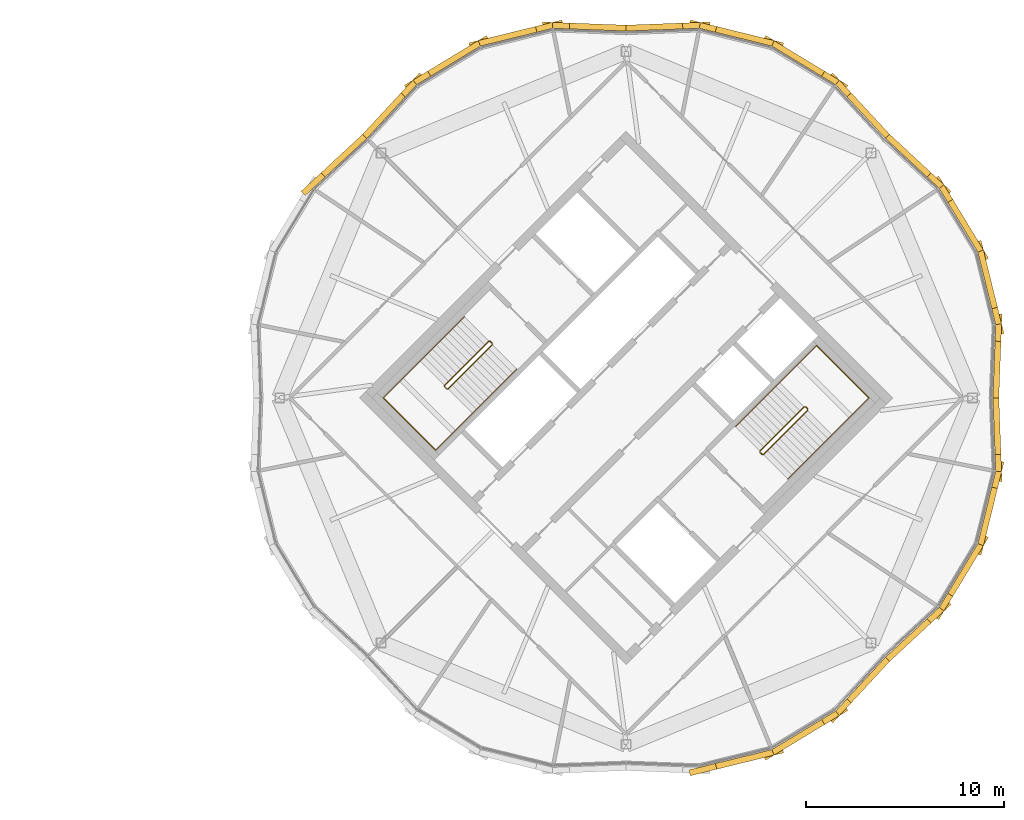
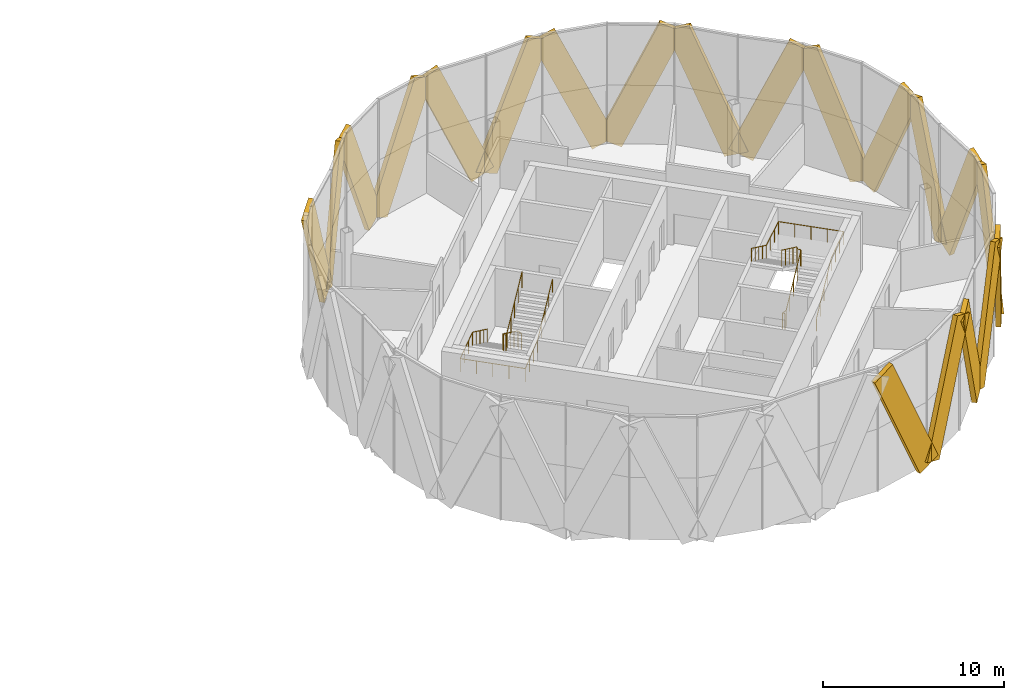
# One storey, part 22 of 22: 20 coverings, 4 railings.
"""IFC4 building model written with IfcOpenShell, lengths in metres."""

from ifc_helpers import new_model, si_unit, direction, frame, origin, origin_2d, place, context, subcontext, project, spatial, rectangle, circle, extrude, material, material_profile, profile_set, type_object, element, save


model = new_model("IFC4")

# Units and contexts
model_context = context("Model", 3, precision=1e-05, world=origin(), true_north=direction((0.0, 1.0)))
body_context = subcontext(model_context, "Body", "Model", "MODEL_VIEW")
ifc_project = project(units=[si_unit("LENGTHUNIT", "METRE"), si_unit("AREAUNIT", "SQUARE_METRE"), si_unit("VOLUMEUNIT", "CUBIC_METRE"), si_unit("PLANEANGLEUNIT", "RADIAN"), si_unit("MASSUNIT", "GRAM", prefix="KILO")], contexts=[model_context])

# Site, building, storey
site_placement = place(None, origin())
site = spatial("IfcSite", under=ifc_project, at=site_placement, CompositionType="ELEMENT")
building_placement = place(site_placement, origin())
building = spatial("IfcBuilding", under=site, at=building_placement, Name="Ogive Gate Towers", CompositionType="ELEMENT")
storey_placement = place(building_placement, frame((0.0, 0.0, 285.60009765625)))
storey = spatial("IfcBuildingStorey", under=building, at=storey_placement, Name="L67", CompositionType="ELEMENT", Elevation=285.60009765625)

# Coverings
ifc_material_1 = material(Name="Pale metal aluminium", Category="aluminium")
ifc_material_profile = material_profile(ifc_material_1, rectangle(XDim=0.300048828125, YDim=1.5, at=origin_2d()), Name="1500 x 300 pale metal aluminium")
ifc_profile_set = profile_set([ifc_material_profile], Name="Pale metal aluminium")
covering_type = type_object("IfcCoveringType", Name="Facade fin 1500 x 300", PredefinedType="CLADDING", material=ifc_profile_set)
covering_1_placement = place(storey_placement, frame((54.635009765625, 0.123046875, -0.049072265625), z_axis=(0.015169569339, 0.401032943671, 0.915938023153), x_axis=(-0.999285354501, 0.037799210049, 0.0)))
element("IfcCovering", 1, at=covering_1_placement, inside=storey, type_object=covering_type, Name="Facade fin", PredefinedType="CLADDING", context=body_context, shape_type="SweptSolid", body=[
    extrude(rectangle(XDim=0.300048828125, YDim=1.5, at=origin_2d()), origin(), (0.0, 0.0, 1.0), 8.513671875),
])
for number, where, z_axis, x_axis, name in (
    (2, (53.903076171875, 7.232666015625, -0.045166015625), (0.097000995392, -0.394989885604, 0.913550106542), (0.971144431626, 0.238492123394, 0.0), "Facade fin"),
    (3, (53.773681640625, 7.544921875, -0.045166015625), (-0.21069427992, 0.34789321855, 0.913552532094), (-0.855361364748, -0.518031790238, 0.0), "Facade fin"),
):
    element("IfcCovering", number, at=place(storey_placement, frame(where, z_axis=z_axis, x_axis=x_axis)), inside=storey, type_object=covering_type, Name=name, PredefinedType="CLADDING", context=body_context, shape_type="SweptSolid", body=[
        extrude(rectangle(XDim=0.300048828125, YDim=1.5, at=origin_2d()), origin(), (0.0, 0.0, 1.0), 8.527099609375),
    ])
for number, where, z_axis, x_axis, name in (
    (4, (49.263916015625, 13.08984375, -0.049072265625), (0.294300591844, -0.272851031024, 0.915936393266), (0.679878090563, 0.73332515433, 0.0), "Facade fin"),
    (5, (49.08984375, 13.263916015625, -0.049072265625), (-0.272851031024, 0.294300591844, 0.915936393266), (-0.73332515433, -0.679878090563, 0.0), "Facade fin"),
):
    element("IfcCovering", number, at=place(storey_placement, frame(where, z_axis=z_axis, x_axis=x_axis)), inside=storey, type_object=covering_type, Name=name, PredefinedType="CLADDING", context=body_context, shape_type="SweptSolid", body=[
        extrude(rectangle(XDim=0.300048828125, YDim=1.5, at=origin_2d()), origin(), (0.0, 0.0, 1.0), 8.513916015625),
    ])
for number, where, z_axis, x_axis, name in (
    (6, (43.544921875, 17.773681640625, -0.045166015625), (0.34789321855, -0.21069427992, 0.913552532094), (0.518031790238, 0.855361364748, 0.0), "Facade fin"),
    (7, (43.232666015625, 17.903076171875, -0.045166015625), (-0.394989885604, 0.097000995392, 0.913550106542), (-0.238492123394, -0.971144431626, 0.0), "Facade fin"),
):
    element("IfcCovering", number, at=place(storey_placement, frame(where, z_axis=z_axis, x_axis=x_axis)), inside=storey, type_object=covering_type, Name=name, PredefinedType="CLADDING", context=body_context, shape_type="SweptSolid", body=[
        extrude(rectangle(XDim=0.300048828125, YDim=1.5, at=origin_2d()), origin(), (0.0, 0.0, 1.0), 8.527099609375),
    ])
for number, where, z_axis, x_axis, name in (
    (8, (36.123046875, 18.635009765625, -0.049072265625), (0.401032943671, 0.015169569339, 0.915938023153), (-0.037799210049, 0.999285354501, 0.0), "Facade fin"),
    (9, (35.876953125, 18.635009765625, -0.049072265625), (-0.401032943671, 0.015169569339, 0.915938023153), (-0.037799210049, -0.999285354501, 0.0), "Facade fin"),
):
    element("IfcCovering", number, at=place(storey_placement, frame(where, z_axis=z_axis, x_axis=x_axis)), inside=storey, type_object=covering_type, Name=name, PredefinedType="CLADDING", context=body_context, shape_type="SweptSolid", body=[
        extrude(rectangle(XDim=0.300048828125, YDim=1.5, at=origin_2d()), origin(), (0.0, 0.0, 1.0), 8.513671875),
    ])
for number, where, z_axis, x_axis, name in (
    (10, (28.767333984375, 17.903076171875, -0.045166015625), (0.394989885604, 0.097000995392, 0.913550106542), (-0.238492123394, 0.971144431626, 0.0), "Facade fin"),
    (11, (28.455078125, 17.773681640625, -0.045166015625), (-0.34789321855, -0.21069427992, 0.913552532094), (0.518031790238, -0.855361364748, 0.0), "Facade fin"),
):
    element("IfcCovering", number, at=place(storey_placement, frame(where, z_axis=z_axis, x_axis=x_axis)), inside=storey, type_object=covering_type, Name=name, PredefinedType="CLADDING", context=body_context, shape_type="SweptSolid", body=[
        extrude(rectangle(XDim=0.300048828125, YDim=1.5, at=origin_2d()), origin(), (0.0, 0.0, 1.0), 8.527099609375),
    ])
for number, where, z_axis, x_axis, name in (
    (12, (22.91015625, 13.263916015625, -0.049072265625), (0.272851031024, 0.294300591844, 0.915936393266), (-0.73332515433, 0.679878090563, 0.0), "Facade fin"),
    (13, (22.736083984375, 13.08984375, -0.049072265625), (-0.294300591844, -0.272851031024, 0.915936393266), (0.679878090563, -0.73332515433, 0.0), "Facade fin"),
):
    element("IfcCovering", number, at=place(storey_placement, frame(where, z_axis=z_axis, x_axis=x_axis)), inside=storey, type_object=covering_type, Name=name, PredefinedType="CLADDING", context=body_context, shape_type="SweptSolid", body=[
        extrude(rectangle(XDim=0.300048828125, YDim=1.5, at=origin_2d()), origin(), (0.0, 0.0, 1.0), 8.513916015625),
    ])
for number, where, z_axis, x_axis, name in (
    (14, (43.232666015625, -17.903076171875, -0.045166015625), (-0.394989885604, -0.097000995392, 0.913550106542), (0.238492123394, -0.971144431626, 0.0), "Facade fin"),
    (15, (43.544921875, -17.773681640625, -0.045166015625), (0.34789321855, 0.21069427992, 0.913552532094), (-0.518031790238, 0.855361364748, 0.0), "Facade fin"),
):
    element("IfcCovering", number, at=place(storey_placement, frame(where, z_axis=z_axis, x_axis=x_axis)), inside=storey, type_object=covering_type, Name=name, PredefinedType="CLADDING", context=body_context, shape_type="SweptSolid", body=[
        extrude(rectangle(XDim=0.300048828125, YDim=1.5, at=origin_2d()), origin(), (0.0, 0.0, 1.0), 8.527099609375),
    ])
for number, where, z_axis, x_axis, name in (
    (16, (49.08984375, -13.263916015625, -0.049072265625), (-0.272851031024, -0.294300591844, 0.915936393266), (0.73332515433, -0.679878090563, 0.0), "Facade fin"),
    (17, (49.263916015625, -13.08984375, -0.049072265625), (0.294300591844, 0.272851031024, 0.915936393266), (-0.679878090563, 0.73332515433, 0.0), "Facade fin"),
):
    element("IfcCovering", number, at=place(storey_placement, frame(where, z_axis=z_axis, x_axis=x_axis)), inside=storey, type_object=covering_type, Name=name, PredefinedType="CLADDING", context=body_context, shape_type="SweptSolid", body=[
        extrude(rectangle(XDim=0.300048828125, YDim=1.5, at=origin_2d()), origin(), (0.0, 0.0, 1.0), 8.513916015625),
    ])
for number, where, z_axis, x_axis, name in (
    (18, (53.773681640625, -7.544921875, -0.045166015625), (-0.21069427992, -0.34789321855, 0.913552532094), (0.855361364748, -0.518031790238, 0.0), "Facade fin"),
    (19, (53.903076171875, -7.232666015625, -0.045166015625), (0.097000995392, 0.394989885604, 0.913550106542), (-0.971144431626, 0.238492123394, 0.0), "Facade fin"),
):
    element("IfcCovering", number, at=place(storey_placement, frame(where, z_axis=z_axis, x_axis=x_axis)), inside=storey, type_object=covering_type, Name=name, PredefinedType="CLADDING", context=body_context, shape_type="SweptSolid", body=[
        extrude(rectangle(XDim=0.300048828125, YDim=1.5, at=origin_2d()), origin(), (0.0, 0.0, 1.0), 8.527099609375),
    ])
covering_2_placement = place(storey_placement, frame((54.635009765625, -0.123046875, -0.049072265625), z_axis=(0.015169569339, -0.401032943671, 0.915938023153), x_axis=(0.999285354501, 0.037799210049, 0.0)))
element("IfcCovering", 20, at=covering_2_placement, inside=storey, type_object=covering_type, Name="Facade fin", PredefinedType="CLADDING", context=body_context, shape_type="SweptSolid", body=[
    extrude(rectangle(XDim=0.300048828125, YDim=1.5, at=origin_2d()), origin(), (0.0, 0.0, 1.0), 8.513671875),
])

# Railings
ifc_material_2 = material(Name="Stainless steel", Category="steel")
railing_type_1 = type_object("IfcRailingType", Name="Stair guard 1100", PredefinedType="GUARDRAIL", material=ifc_material_2)
railing_1_placement = place(storey_placement, frame((29.15869140625, 2.8603515625, 0.0)))
element("IfcRailing", 21, at=railing_1_placement, inside=storey, type_object=railing_type_1, Name="L67 ST1 stair guard 1", PredefinedType="GUARDRAIL", context=body_context, shape_type="SweptSolid", body=[
    extrude(circle(Radius=0.02392578125, at=origin_2d()), frame((0.0, 0.0, 1.076171875), z_axis=(0.707106781187, -0.707106781187, 0.0), x_axis=(0.707106781187, 0.707106781187, 0.0)), (0.0, 0.0, 1.0), 0.14501953125),
    extrude(circle(Radius=0.02392578125, at=origin_2d()), frame((0.1025390625, -0.1025390625, 1.076171875), z_axis=(-0.649465406644, 0.384732680946, 0.655877617993), x_axis=(-0.509669330572, -0.860370369942, 0.0)), (0.0, 0.0, 1.0), 0.2666015625),
    extrude(circle(Radius=0.02392578125, at=origin_2d()), frame((-0.070556640625, 0.0, 1.2509765625), z_axis=(-0.604012965068, -0.604012965068, 0.519939108031), x_axis=(0.707106781187, -0.707106781187, 0.0)), (0.0, 0.0, 1.0), 3.702392578125),
    extrude(circle(Radius=0.02392578125, at=origin_2d()), frame((-2.306884765625, -2.236328125, 3.17578125), z_axis=(0.0, -1.0, 0.0), x_axis=(1.0, 0.0, 0.0)), (0.0, 0.0, 1.0), 0.07080078125),
    extrude(circle(Radius=0.02392578125, at=origin_2d()), frame((-2.306884765625, -2.30712890625, 3.17578125), z_axis=(0.707106781187, -0.707106781187, 0.0), x_axis=(0.707106781187, 0.707106781187, 0.0)), (0.0, 0.0, 1.0), 0.14501953125),
    extrude(circle(Radius=0.02392578125, at=origin_2d()), frame((-2.204345703125, -2.40966796875, 3.17578125), z_axis=(0.374954686889, 0.0, 0.927043139654), x_axis=(0.0, 1.0, 0.0)), (0.0, 0.0, 1.0), 0.188720703125),
    extrude(circle(Radius=0.02392578125, at=origin_2d()), frame((-2.133544921875, -2.40966796875, 3.35107421875), z_axis=(0.603971079388, 0.604037022294, 0.51995981668), x_axis=(-0.707145379772, 0.707068180494, 0.0)), (0.0, 0.0, 1.0), 3.702392578125),
    extrude(circle(Radius=0.02099609375, at=origin_2d()), origin(), (0.0, 0.0, 1.0), 1.052001953125),
    extrude(circle(Radius=0.02099609375, at=origin_2d()), frame((0.1025390625, -0.1025390625, 0.0)), (0.0, 0.0, 1.0), 1.052001953125),
    extrude(circle(Radius=0.02099609375, at=origin_2d()), frame((-0.070556640625, 0.0, 0.1748046875)), (0.0, 0.0, 1.0), 1.052001953125),
    extrude(circle(Radius=0.02099609375, at=origin_2d()), frame((-0.629638671875, -0.55908203125, 0.656005859375)), (0.0, 0.0, 1.0), 1.052001953125),
    extrude(circle(Radius=0.02099609375, at=origin_2d()), frame((-1.188720703125, -1.1181640625, 1.13720703125)), (0.0, 0.0, 1.0), 1.052001953125),
    extrude(circle(Radius=0.02099609375, at=origin_2d()), frame((-1.747802734375, -1.67724609375, 1.61865234375)), (0.0, 0.0, 1.0), 1.052001953125),
    extrude(circle(Radius=0.02099609375, at=origin_2d()), frame((-2.306884765625, -2.236328125, 2.099853515625)), (0.0, 0.0, 1.0), 1.052001953125),
    extrude(circle(Radius=0.02099609375, at=origin_2d()), frame((-2.306884765625, -2.30712890625, 2.099853515625)), (0.0, 0.0, 1.0), 1.052001953125),
    extrude(circle(Radius=0.02099609375, at=origin_2d()), frame((-2.204345703125, -2.40966796875, 2.099853515625)), (0.0, 0.0, 1.0), 1.052001953125),
    extrude(circle(Radius=0.02099609375, at=origin_2d()), frame((-2.133544921875, -2.40966796875, 2.27490234375)), (0.0, 0.0, 1.0), 1.052001953125),
    extrude(circle(Radius=0.02099609375, at=origin_2d()), frame((-1.574462890625, -1.8505859375, 2.756103515625)), (0.0, 0.0, 1.0), 1.052001953125),
    extrude(circle(Radius=0.02099609375, at=origin_2d()), frame((-1.015625, -1.29150390625, 3.2373046875)), (0.0, 0.0, 1.0), 1.052001953125),
    extrude(circle(Radius=0.02099609375, at=origin_2d()), frame((-0.45654296875, -0.732421875, 3.71875)), (0.0, 0.0, 1.0), 1.052001953125),
    extrude(circle(Radius=0.02099609375, at=origin_2d()), frame((0.1025390625, -0.17333984375, 4.199951171875)), (0.0, 0.0, 1.0), 1.052001953125),
])
railing_2_placement = place(storey_placement, frame((42.84130859375, -2.8603515625, 0.0)))
element("IfcRailing", 22, at=railing_2_placement, inside=storey, type_object=railing_type_1, Name="L67 ST2 stair guard 1", PredefinedType="GUARDRAIL", context=body_context, shape_type="SweptSolid", body=[
    extrude(circle(Radius=0.02392578125, at=origin_2d()), frame((0.0, 0.0, 1.076171875), z_axis=(-0.707106781187, 0.707106781187, 0.0), x_axis=(-0.707106781187, -0.707106781187, 0.0)), (0.0, 0.0, 1.0), 0.14501953125),
    extrude(circle(Radius=0.02392578125, at=origin_2d()), frame((-0.1025390625, 0.1025390625, 1.076171875), z_axis=(0.649465406644, -0.384732680946, 0.655877617993), x_axis=(0.509669330572, 0.860370369942, 0.0)), (0.0, 0.0, 1.0), 0.2666015625),
    extrude(circle(Radius=0.02392578125, at=origin_2d()), frame((0.070556640625, 0.0, 1.2509765625), z_axis=(0.604012965068, 0.604012965068, 0.519939108031), x_axis=(-0.707106781187, 0.707106781187, 0.0)), (0.0, 0.0, 1.0), 3.702392578125),
    extrude(circle(Radius=0.02392578125, at=origin_2d()), frame((2.306884765625, 2.236328125, 3.17578125), z_axis=(0.0, 1.0, 0.0), x_axis=(-1.0, 0.0, 0.0)), (0.0, 0.0, 1.0), 0.07080078125),
    extrude(circle(Radius=0.02392578125, at=origin_2d()), frame((2.306884765625, 2.30712890625, 3.17578125), z_axis=(-0.707106781187, 0.707106781187, 0.0), x_axis=(-0.707106781187, -0.707106781187, 0.0)), (0.0, 0.0, 1.0), 0.14501953125),
    extrude(circle(Radius=0.02392578125, at=origin_2d()), frame((2.204345703125, 2.40966796875, 3.17578125), z_axis=(-0.374954686889, 0.0, 0.927043139654), x_axis=(0.0, -1.0, 0.0)), (0.0, 0.0, 1.0), 0.188720703125),
    extrude(circle(Radius=0.02392578125, at=origin_2d()), frame((2.133544921875, 2.40966796875, 3.35107421875), z_axis=(-0.603971079388, -0.604037022294, 0.51995981668), x_axis=(0.707145379772, -0.707068180494, 0.0)), (0.0, 0.0, 1.0), 3.702392578125),
    extrude(circle(Radius=0.02099609375, at=origin_2d()), origin(), (0.0, 0.0, 1.0), 1.052001953125),
    extrude(circle(Radius=0.02099609375, at=origin_2d()), frame((-0.1025390625, 0.1025390625, 0.0)), (0.0, 0.0, 1.0), 1.052001953125),
    extrude(circle(Radius=0.02099609375, at=origin_2d()), frame((0.070556640625, 0.0, 0.1748046875)), (0.0, 0.0, 1.0), 1.052001953125),
    extrude(circle(Radius=0.02099609375, at=origin_2d()), frame((0.629638671875, 0.55908203125, 0.656005859375)), (0.0, 0.0, 1.0), 1.052001953125),
    extrude(circle(Radius=0.02099609375, at=origin_2d()), frame((1.188720703125, 1.1181640625, 1.13720703125)), (0.0, 0.0, 1.0), 1.052001953125),
    extrude(circle(Radius=0.02099609375, at=origin_2d()), frame((1.747802734375, 1.67724609375, 1.61865234375)), (0.0, 0.0, 1.0), 1.052001953125),
    extrude(circle(Radius=0.02099609375, at=origin_2d()), frame((2.306884765625, 2.236328125, 2.099853515625)), (0.0, 0.0, 1.0), 1.052001953125),
    extrude(circle(Radius=0.02099609375, at=origin_2d()), frame((2.306884765625, 2.30712890625, 2.099853515625)), (0.0, 0.0, 1.0), 1.052001953125),
    extrude(circle(Radius=0.02099609375, at=origin_2d()), frame((2.204345703125, 2.40966796875, 2.099853515625)), (0.0, 0.0, 1.0), 1.052001953125),
    extrude(circle(Radius=0.02099609375, at=origin_2d()), frame((2.133544921875, 2.40966796875, 2.27490234375)), (0.0, 0.0, 1.0), 1.052001953125),
    extrude(circle(Radius=0.02099609375, at=origin_2d()), frame((1.574462890625, 1.8505859375, 2.756103515625)), (0.0, 0.0, 1.0), 1.052001953125),
    extrude(circle(Radius=0.02099609375, at=origin_2d()), frame((1.015625, 1.29150390625, 3.2373046875)), (0.0, 0.0, 1.0), 1.052001953125),
    extrude(circle(Radius=0.02099609375, at=origin_2d()), frame((0.45654296875, 0.732421875, 3.71875)), (0.0, 0.0, 1.0), 1.052001953125),
    extrude(circle(Radius=0.02099609375, at=origin_2d()), frame((-0.1025390625, 0.17333984375, 4.199951171875)), (0.0, 0.0, 1.0), 1.052001953125),
])
railing_type_2 = type_object("IfcRailingType", Name="Stair handrail 900", PredefinedType="HANDRAIL", material=ifc_material_2)
railing_3_placement = place(storey_placement, frame((27.857666015625, 4.090576171875, 0.1748046875)))
element("IfcRailing", 23, at=railing_3_placement, inside=storey, type_object=railing_type_2, Name="L67 ST1 stair handrail 1", PredefinedType="HANDRAIL", context=body_context, shape_type="SweptSolid", body=[
    extrude(circle(Radius=0.02392578125, at=origin_2d()), frame((0.0, 0.0, 0.8759765625), z_axis=(-0.604037022294, -0.603971079388, 0.51995981668), x_axis=(0.707068180494, -0.707145379772, 0.0)), (0.0, 0.0, 1.0), 3.702392578125),
    extrude(circle(Radius=0.02392578125, at=origin_2d()), frame((-2.236328125, -2.236083984375, 2.80078125), z_axis=(-0.70706023191, -0.707153327399, 0.0), x_axis=(0.707153327399, -0.70706023191, 0.0)), (0.0, 0.0, 1.0), 2.62255859375),
    extrude(circle(Radius=0.02392578125, at=origin_2d()), frame((-4.090576171875, -4.090576171875, 2.80078125), z_axis=(0.707106781187, -0.707106781187, 0.0), x_axis=(0.707106781187, 0.707106781187, 0.0)), (0.0, 0.0, 1.0), 3.72509765625),
    extrude(circle(Radius=0.02392578125, at=origin_2d()), frame((-1.45654296875, -6.724609375, 2.80078125), z_axis=(0.705490325719, 0.705583214505, 0.066601259189), x_axis=(-0.707153327399, 0.70706023191, 0.0)), (0.0, 0.0, 1.0), 2.62841796875),
    extrude(circle(Radius=0.02392578125, at=origin_2d()), frame((0.397705078125, -4.8701171875, 2.97607421875), z_axis=(0.604037022294, 0.603971079388, 0.51995981668), x_axis=(-0.707068180494, 0.707145379772, 0.0)), (0.0, 0.0, 1.0), 3.702392578125),
    extrude(circle(Radius=0.02099609375, at=origin_2d()), origin(), (0.0, 0.0, 1.0), 0.851806640625),
    extrude(circle(Radius=0.02099609375, at=origin_2d()), frame((-0.55908203125, -0.55908203125, 0.481201171875)), (0.0, 0.0, 1.0), 0.851806640625),
    extrude(circle(Radius=0.02099609375, at=origin_2d()), frame((-1.1181640625, -1.1181640625, 0.96240234375)), (0.0, 0.0, 1.0), 0.851806640625),
    extrude(circle(Radius=0.02099609375, at=origin_2d()), frame((-1.67724609375, -1.677001953125, 1.44384765625)), (0.0, 0.0, 1.0), 0.851806640625),
    extrude(circle(Radius=0.02099609375, at=origin_2d()), frame((-2.236328125, -2.236083984375, 1.925048828125)), (0.0, 0.0, 1.0), 0.851806640625),
    extrude(circle(Radius=0.02099609375, at=origin_2d()), frame((-2.8544921875, -2.854248046875, 1.925048828125)), (0.0, 0.0, 1.0), 0.851806640625),
    extrude(circle(Radius=0.02099609375, at=origin_2d()), frame((-3.472412109375, -3.472412109375, 1.925048828125)), (0.0, 0.0, 1.0), 0.851806640625),
    extrude(circle(Radius=0.02099609375, at=origin_2d()), frame((-4.090576171875, -4.090576171875, 1.925048828125)), (0.0, 0.0, 1.0), 0.851806640625),
    extrude(circle(Radius=0.02099609375, at=origin_2d()), frame((-3.43212890625, -4.7490234375, 1.925048828125)), (0.0, 0.0, 1.0), 0.851806640625),
    extrude(circle(Radius=0.02099609375, at=origin_2d()), frame((-2.7734375, -5.40771484375, 1.925048828125)), (0.0, 0.0, 1.0), 0.851806640625),
    extrude(circle(Radius=0.02099609375, at=origin_2d()), frame((-2.114990234375, -6.066162109375, 1.925048828125)), (0.0, 0.0, 1.0), 0.851806640625),
    extrude(circle(Radius=0.02099609375, at=origin_2d()), frame((-1.45654296875, -6.724609375, 1.925048828125)), (0.0, 0.0, 1.0), 0.851806640625),
    extrude(circle(Radius=0.02099609375, at=origin_2d()), frame((-0.83837890625, -6.1064453125, 1.9833984375)), (0.0, 0.0, 1.0), 0.851806640625),
    extrude(circle(Radius=0.02099609375, at=origin_2d()), frame((-0.220458984375, -5.48828125, 2.041748046875)), (0.0, 0.0, 1.0), 0.851806640625),
    extrude(circle(Radius=0.02099609375, at=origin_2d()), frame((0.397705078125, -4.8701171875, 2.10009765625)), (0.0, 0.0, 1.0), 0.851806640625),
    extrude(circle(Radius=0.02099609375, at=origin_2d()), frame((0.956787109375, -4.31103515625, 2.581298828125)), (0.0, 0.0, 1.0), 0.851806640625),
    extrude(circle(Radius=0.02099609375, at=origin_2d()), frame((1.515869140625, -3.751953125, 3.0625)), (0.0, 0.0, 1.0), 0.851806640625),
    extrude(circle(Radius=0.02099609375, at=origin_2d()), frame((2.074951171875, -3.193115234375, 3.5439453125)), (0.0, 0.0, 1.0), 0.851806640625),
    extrude(circle(Radius=0.02099609375, at=origin_2d()), frame((2.634033203125, -2.634033203125, 4.025146484375)), (0.0, 0.0, 1.0), 0.851806640625),
])
railing_4_placement = place(storey_placement, frame((44.142333984375, -4.090576171875, 0.1748046875)))
element("IfcRailing", 24, at=railing_4_placement, inside=storey, type_object=railing_type_2, Name="L67 ST2 stair handrail 1", PredefinedType="HANDRAIL", context=body_context, shape_type="SweptSolid", body=[
    extrude(circle(Radius=0.02392578125, at=origin_2d()), frame((0.0, 0.0, 0.8759765625), z_axis=(0.604037022294, 0.603971079388, 0.51995981668), x_axis=(-0.707068180494, 0.707145379772, 0.0)), (0.0, 0.0, 1.0), 3.702392578125),
    extrude(circle(Radius=0.02392578125, at=origin_2d()), frame((2.236328125, 2.236083984375, 2.80078125), z_axis=(0.70706023191, 0.707153327399, 0.0), x_axis=(-0.707153327399, 0.70706023191, 0.0)), (0.0, 0.0, 1.0), 2.62255859375),
    extrude(circle(Radius=0.02392578125, at=origin_2d()), frame((4.090576171875, 4.090576171875, 2.80078125), z_axis=(-0.707106781187, 0.707106781187, 0.0), x_axis=(-0.707106781187, -0.707106781187, 0.0)), (0.0, 0.0, 1.0), 3.72509765625),
    extrude(circle(Radius=0.02392578125, at=origin_2d()), frame((1.45654296875, 6.724609375, 2.80078125), z_axis=(-0.705490325719, -0.705583214505, 0.066601259189), x_axis=(0.707153327399, -0.70706023191, 0.0)), (0.0, 0.0, 1.0), 2.62841796875),
    extrude(circle(Radius=0.02392578125, at=origin_2d()), frame((-0.397705078125, 4.8701171875, 2.97607421875), z_axis=(-0.604037022294, -0.603971079388, 0.51995981668), x_axis=(0.707068180494, -0.707145379772, 0.0)), (0.0, 0.0, 1.0), 3.702392578125),
    extrude(circle(Radius=0.02099609375, at=origin_2d()), origin(), (0.0, 0.0, 1.0), 0.851806640625),
    extrude(circle(Radius=0.02099609375, at=origin_2d()), frame((0.55908203125, 0.55908203125, 0.481201171875)), (0.0, 0.0, 1.0), 0.851806640625),
    extrude(circle(Radius=0.02099609375, at=origin_2d()), frame((1.1181640625, 1.1181640625, 0.96240234375)), (0.0, 0.0, 1.0), 0.851806640625),
    extrude(circle(Radius=0.02099609375, at=origin_2d()), frame((1.67724609375, 1.677001953125, 1.44384765625)), (0.0, 0.0, 1.0), 0.851806640625),
    extrude(circle(Radius=0.02099609375, at=origin_2d()), frame((2.236328125, 2.236083984375, 1.925048828125)), (0.0, 0.0, 1.0), 0.851806640625),
    extrude(circle(Radius=0.02099609375, at=origin_2d()), frame((2.8544921875, 2.854248046875, 1.925048828125)), (0.0, 0.0, 1.0), 0.851806640625),
    extrude(circle(Radius=0.02099609375, at=origin_2d()), frame((3.472412109375, 3.472412109375, 1.925048828125)), (0.0, 0.0, 1.0), 0.851806640625),
    extrude(circle(Radius=0.02099609375, at=origin_2d()), frame((4.090576171875, 4.090576171875, 1.925048828125)), (0.0, 0.0, 1.0), 0.851806640625),
    extrude(circle(Radius=0.02099609375, at=origin_2d()), frame((3.43212890625, 4.7490234375, 1.925048828125)), (0.0, 0.0, 1.0), 0.851806640625),
    extrude(circle(Radius=0.02099609375, at=origin_2d()), frame((2.7734375, 5.40771484375, 1.925048828125)), (0.0, 0.0, 1.0), 0.851806640625),
    extrude(circle(Radius=0.02099609375, at=origin_2d()), frame((2.114990234375, 6.066162109375, 1.925048828125)), (0.0, 0.0, 1.0), 0.851806640625),
    extrude(circle(Radius=0.02099609375, at=origin_2d()), frame((1.45654296875, 6.724609375, 1.925048828125)), (0.0, 0.0, 1.0), 0.851806640625),
    extrude(circle(Radius=0.02099609375, at=origin_2d()), frame((0.83837890625, 6.1064453125, 1.9833984375)), (0.0, 0.0, 1.0), 0.851806640625),
    extrude(circle(Radius=0.02099609375, at=origin_2d()), frame((0.220458984375, 5.48828125, 2.041748046875)), (0.0, 0.0, 1.0), 0.851806640625),
    extrude(circle(Radius=0.02099609375, at=origin_2d()), frame((-0.397705078125, 4.8701171875, 2.10009765625)), (0.0, 0.0, 1.0), 0.851806640625),
    extrude(circle(Radius=0.02099609375, at=origin_2d()), frame((-0.956787109375, 4.31103515625, 2.581298828125)), (0.0, 0.0, 1.0), 0.851806640625),
    extrude(circle(Radius=0.02099609375, at=origin_2d()), frame((-1.515869140625, 3.751953125, 3.0625)), (0.0, 0.0, 1.0), 0.851806640625),
    extrude(circle(Radius=0.02099609375, at=origin_2d()), frame((-2.074951171875, 3.193115234375, 3.5439453125)), (0.0, 0.0, 1.0), 0.851806640625),
    extrude(circle(Radius=0.02099609375, at=origin_2d()), frame((-2.634033203125, 2.634033203125, 4.025146484375)), (0.0, 0.0, 1.0), 0.851806640625),
])

save(model, "model.ifc")
